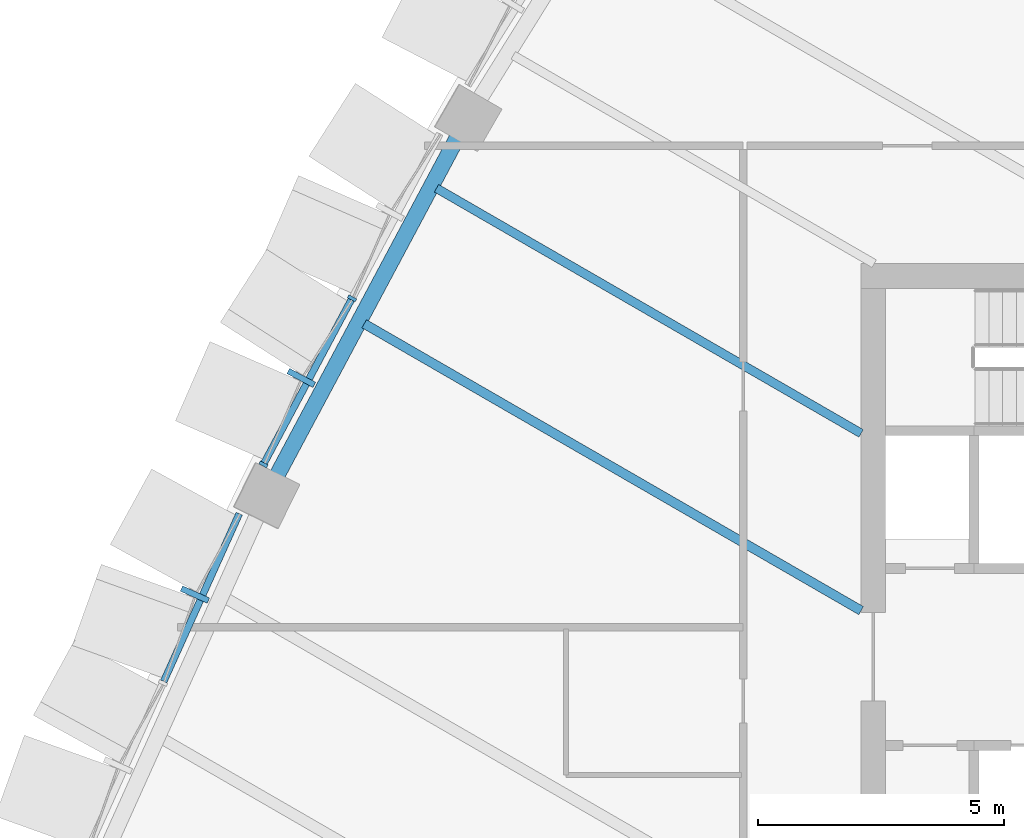
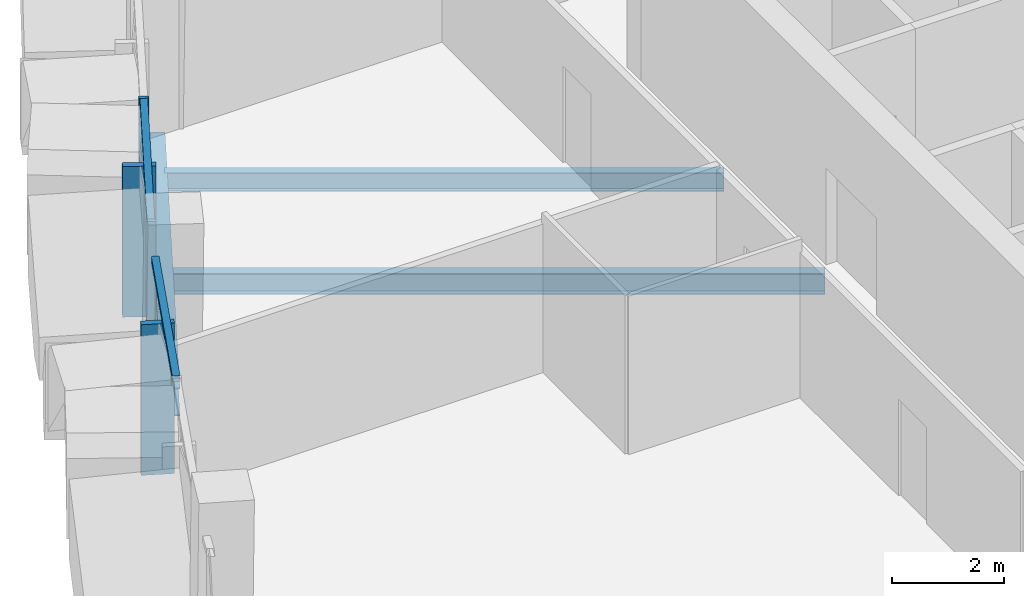
# One storey, part 3 of 18: 6 members, 3 beams, 2 elements without a shape of their own.
"""IFC4 building model written with IfcOpenShell, lengths in metres."""

from ifc_helpers import new_model, si_unit, direction, frame, origin, origin_2d, place, context, subcontext, project, spatial, rectangle, i_section, extrude, material, layer, layer_set, material_profile, profile_set, type_object, element, aggregate, save


model = new_model("IFC4")

# Units and contexts
model_context = context("Model", 3, precision=1e-05, world=origin(), true_north=direction((0.0, 1.0)))
body_context = subcontext(model_context, "Body", "Model", "MODEL_VIEW")
ifc_project = project(units=[si_unit("LENGTHUNIT", "METRE"), si_unit("AREAUNIT", "SQUARE_METRE"), si_unit("VOLUMEUNIT", "CUBIC_METRE"), si_unit("PLANEANGLEUNIT", "RADIAN"), si_unit("MASSUNIT", "GRAM", prefix="KILO")], contexts=[model_context])

# Site, building, storey
site_placement = place(None, origin())
site = spatial("IfcSite", under=ifc_project, at=site_placement, CompositionType="ELEMENT")
building_placement = place(site_placement, origin())
building = spatial("IfcBuilding", under=site, at=building_placement, Name="Sierra Prisma Convention Tower", CompositionType="ELEMENT")
storey_placement = place(building_placement, frame((0.0, 0.0, 129.800048828125)))
storey = spatial("IfcBuildingStorey", under=building, at=storey_placement, Name="L27", CompositionType="ELEMENT", Elevation=129.800048828125)

# Curtain wall, member
ifc_material_1 = material(Name="Aluminium and glass curtain wall", Category="aluminium")
ifc_layer = layer(ifc_material_1, 0.179931640625)
ifc_layer_set = layer_set([ifc_layer], Name="CW-2 Faceted crystal curtain wall")
curtain_wall_type = type_object("IfcCurtainWallType", Name="CW-2 Faceted crystal curtain wall", PredefinedType="NOTDEFINED", material=ifc_layer_set)
curtain_wall_1_placement = place(storey_placement, origin())
curtain_wall_1 = element("IfcCurtainWall", 1, at=curtain_wall_1_placement, inside=storey, type_object=curtain_wall_type, Name="CW-2 NW4 L27", PredefinedType="NOTDEFINED")
ifc_material_2 = material(Name="Aluminium 6063-T6 bronze anodised", Category="aluminium")
ifc_material_profile_1 = material_profile(ifc_material_2, rectangle(XDim=0.1201171875, YDim=0.60009765625, at=origin_2d()), Name="ALU RIDGE BLADE 120x600")
ifc_profile_set_1 = profile_set([ifc_material_profile_1], Name="Aluminium 6063-T6 bronze anodised")
member_type_1 = type_object("IfcMemberType", Name="CW hip bronze", PredefinedType="MULLION", material=ifc_profile_set_1)
member_1_placement = place(storey_placement, frame((-22.3896484375, 5.675537109375, 0.0), z_axis=(0.0, 0.0, 1.0), x_axis=(-0.47075222337, -0.882265461294, 0.0)))
member_1 = element("IfcMember", 2, at=member_1_placement, type_object=member_type_1, Name="CW-2 ridge NW4.2", PredefinedType="MULLION", context=body_context, shape_type="SweptSolid", body=[
    extrude(rectangle(XDim=0.1201171875, YDim=0.60009765625, at=origin_2d()), origin(), (0.0, 0.0, 1.0), 3.280029296875),
])

curtain_wall_2_placement = place(storey_placement, origin())
curtain_wall_2 = element("IfcCurtainWall", 3, at=curtain_wall_2_placement, inside=storey, type_object=curtain_wall_type, Name="CW-2 NW5 L27", PredefinedType="NOTDEFINED")
member_2_placement = place(storey_placement, frame((-24.55517578125, 1.268310546875, 0.0), z_axis=(0.0, 0.0, 1.0), x_axis=(-0.410709435067, -0.911766285814, 0.0)))
member_2 = element("IfcMember", 4, at=member_2_placement, type_object=member_type_1, Name="CW-2 ridge NW5.1", PredefinedType="MULLION", context=body_context, shape_type="SweptSolid", body=[
    extrude(rectangle(XDim=0.1201171875, YDim=0.60009765625, at=origin_2d()), origin(), (0.0, 0.0, 1.0), 3.280029296875),
])

# Member
ifc_material_3 = material(Name="Aluminium 6063-T6 bronze anodised", Category="aluminium")
ifc_material_profile_2 = material_profile(ifc_material_3, rectangle(XDim=0.179931640625, YDim=0.070068359375, at=origin_2d()), Name="ALU MULLION 70x180")
ifc_profile_set_2 = profile_set([ifc_material_profile_2], Name="Aluminium 6063-T6 bronze anodised")
member_type_2 = type_object("IfcMemberType", Name="CW mullion bronze", PredefinedType="MULLION", material=ifc_profile_set_2)
member_3_placement = place(storey_placement, frame((-21.35791015625, 7.294921875, 0.0), z_axis=(0.0, 0.0, 1.0), x_axis=(0.882265461294, -0.47075222337, 0.0)))
member_3 = element("IfcMember", 5, at=member_3_placement, type_object=member_type_2, Name="CW-1 mullion NW4.2", PredefinedType="MULLION", context=body_context, shape_type="SweptSolid", body=[
    extrude(rectangle(XDim=0.179931640625, YDim=0.070068359375, at=origin_2d()), origin(), (0.0, 0.0, 1.0), 3.39990234375),
])

member_4_placement = place(storey_placement, frame((-23.160400390625, 3.9169921875, 0.0), z_axis=(0.0, 0.0, 1.0), x_axis=(0.882265461294, -0.47075222337, 0.0)))
member_4 = element("IfcMember", 6, at=member_4_placement, type_object=member_type_2, Name="CW-1 mullion NW4.3", PredefinedType="MULLION", context=body_context, shape_type="SweptSolid", body=[
    extrude(rectangle(XDim=0.179931640625, YDim=0.070068359375, at=origin_2d()), origin(), (0.0, 0.0, 1.0), 3.39990234375),
])

ifc_material_4 = material(Name="Aluminium 6063-T6 bronze anodised", Category="aluminium")
ifc_material_profile_3 = material_profile(ifc_material_4, rectangle(XDim=0.139892578125, YDim=0.1201171875, at=origin_2d()), Name="ALU TRANSOM 120x140")
ifc_profile_set_3 = profile_set([ifc_material_profile_3], Name="Aluminium 6063-T6 bronze anodised")
member_type_3 = type_object("IfcMemberType", Name="CW transom bronze", PredefinedType="USERDEFINED", material=ifc_profile_set_3)
member_5_placement = place(storey_placement, frame((-21.37451171875, 7.26416015625, 3.33984375), z_axis=(-0.470699479708, -0.882293601815, 0.0), x_axis=(0.882293601815, -0.470699479708, 0.0)))
member_5 = element("IfcMember", 7, at=member_5_placement, type_object=member_type_3, Name="CW-1 transom NW4.2", ObjectType="TRANSOM", PredefinedType="USERDEFINED", context=body_context, shape_type="SweptSolid", body=[
    extrude(rectangle(XDim=0.139892578125, YDim=0.1201171875, at=origin_2d()), origin(), (0.0, 0.0, 1.0), 3.7587890625),
])

aggregate(curtain_wall_1, [member_3, member_4, member_5, member_1])

member_6_placement = place(storey_placement, frame((-23.65234375, 2.9140625, 3.33984375), z_axis=(-0.410709123497, -0.911766426162, 0.0), x_axis=(0.911766426162, -0.410709123497, 0.0)))
member_6 = element("IfcMember", 8, at=member_6_placement, type_object=member_type_3, Name="CW-1 transom NW5.1", ObjectType="TRANSOM", PredefinedType="USERDEFINED", context=body_context, shape_type="SweptSolid", body=[
    extrude(rectangle(XDim=0.139892578125, YDim=0.1201171875, at=origin_2d()), origin(), (0.0, 0.0, 1.0), 3.74267578125),
])

aggregate(curtain_wall_2, [member_6, member_2])

# Beams
ifc_material_5 = material(Name="Steel ASTM A992 Gr 50", Category="steel")
ifc_material_profile_4 = material_profile(ifc_material_5, i_section(OverallWidth=0.177978515625, OverallDepth=0.406982421875, WebThickness=0.0078125, FlangeThickness=0.0126953125, at=origin_2d()), Name="W410x60")
ifc_profile_set_4 = profile_set([ifc_material_profile_4], Name="Steel ASTM A992 Gr 50")
beam_type_1 = type_object("IfcBeamType", Name="Floor joist W410x60", PredefinedType="JOIST", material=ifc_profile_set_4)
beam_1_placement = place(storey_placement, frame((-19.638671875, 9.535400390625, -0.353515625), z_axis=(0.866025000265, -0.500000698915, 0.0), x_axis=(0.500000698915, 0.866025000265, 0.0)))
element("IfcBeam", 9, at=beam_1_placement, inside=storey, type_object=beam_type_1, Name="Floor joist L27 NW09", PredefinedType="JOIST", context=body_context, shape_type="SweptSolid", body=[
    extrude(i_section(OverallWidth=0.177978515625, OverallDepth=0.406982421875, WebThickness=0.0078125, FlangeThickness=0.0126953125, at=origin_2d()), origin(), (0.0, 0.0, 1.0), 9.97509765625),
])
ifc_material_6 = material(Name="Steel ASTM A992 Gr 50", Category="steel")
ifc_material_profile_5 = material_profile(ifc_material_6, i_section(OverallWidth=0.18994140625, OverallDepth=0.45703125, WebThickness=0.009033203125, FlangeThickness=0.014404296875, at=origin_2d()), Name="W460x74")
ifc_profile_set_5 = profile_set([ifc_material_profile_5], Name="Steel ASTM A992 Gr 50")
beam_type_2 = type_object("IfcBeamType", Name="Floor joist W460x74", PredefinedType="JOIST", material=ifc_profile_set_5)
beam_2_placement = place(storey_placement, frame((-21.109619140625, 6.778564453125, -0.378662109375), z_axis=(0.866029907294, -0.499992199611, 0.0), x_axis=(0.499992199611, 0.866029907294, 0.0)))
element("IfcBeam", 10, at=beam_2_placement, inside=storey, type_object=beam_type_2, Name="Floor joist L27 NW10", PredefinedType="JOIST", context=body_context, shape_type="SweptSolid", body=[
    extrude(i_section(OverallWidth=0.18994140625, OverallDepth=0.45703125, WebThickness=0.009033203125, FlangeThickness=0.014404296875, at=origin_2d()), origin(), (0.0, 0.0, 1.0), 11.673583984375),
])
ifc_material_7 = material(Name="Steel ASTM A992 Gr 50", Category="steel")
ifc_material_profile_6 = material_profile(ifc_material_7, i_section(OverallWidth=0.324951171875, OverallDepth=0.615966796875, WebThickness=0.013916015625, FlangeThickness=0.021484375, at=origin_2d()), Name="W610x174")
ifc_profile_set_6 = profile_set([ifc_material_profile_6], Name="Steel ASTM A992 Gr 50")
beam_type_3 = type_object("IfcBeamType", Name="Spandrel beam W610x174", PredefinedType="BEAM", material=ifc_profile_set_6)
beam_3_placement = place(storey_placement, frame((-19.1796875, 10.634521484375, -0.4580078125), z_axis=(-0.47074590229, -0.882268834017, 0.0), x_axis=(0.882268834017, -0.47074590229, 0.0)))
element("IfcBeam", 11, at=beam_3_placement, inside=storey, type_object=beam_type_3, Name="Spandrel L27-16", PredefinedType="BEAM", context=body_context, shape_type="SweptSolid", body=[
    extrude(i_section(OverallWidth=0.324951171875, OverallDepth=0.615966796875, WebThickness=0.013916015625, FlangeThickness=0.021484375, at=origin_2d()), origin(), (0.0, 0.0, 1.0), 7.956298828125),
])

save(model, "model.ifc")
